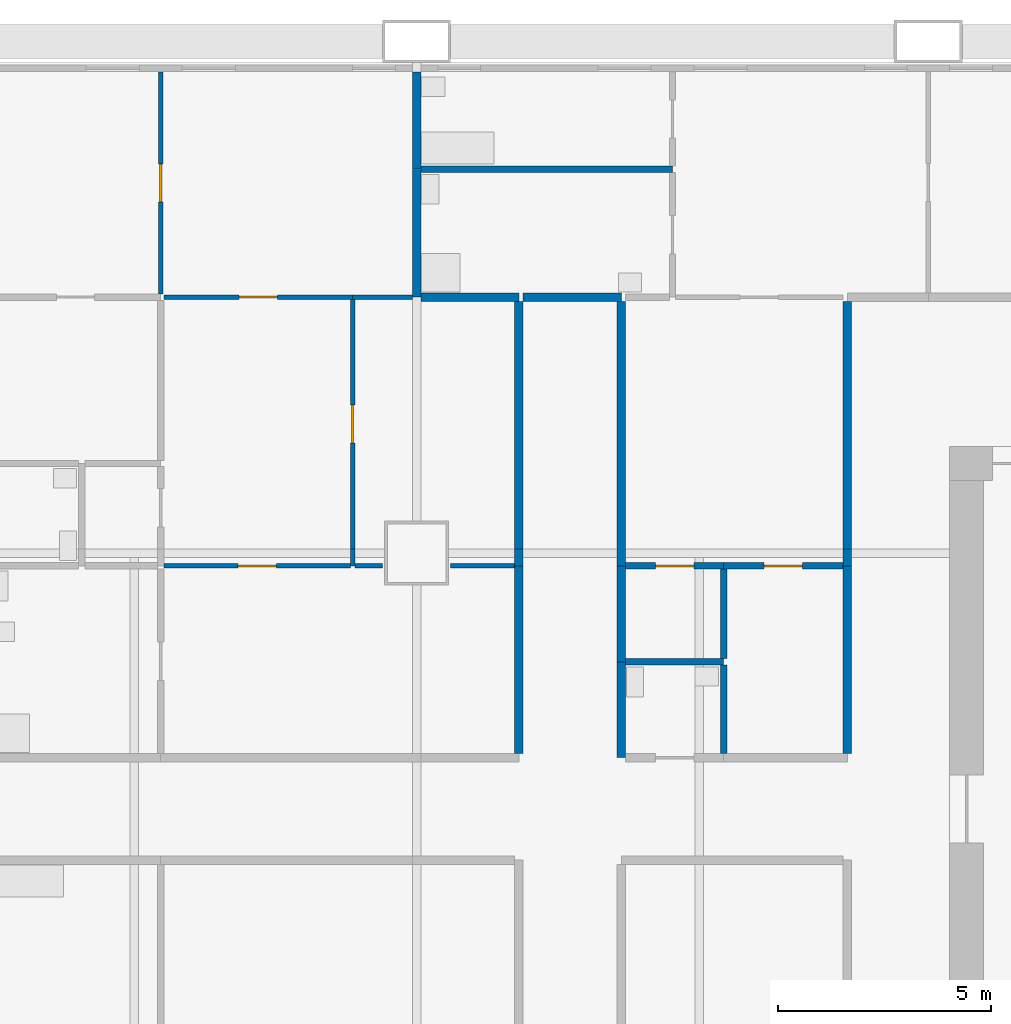
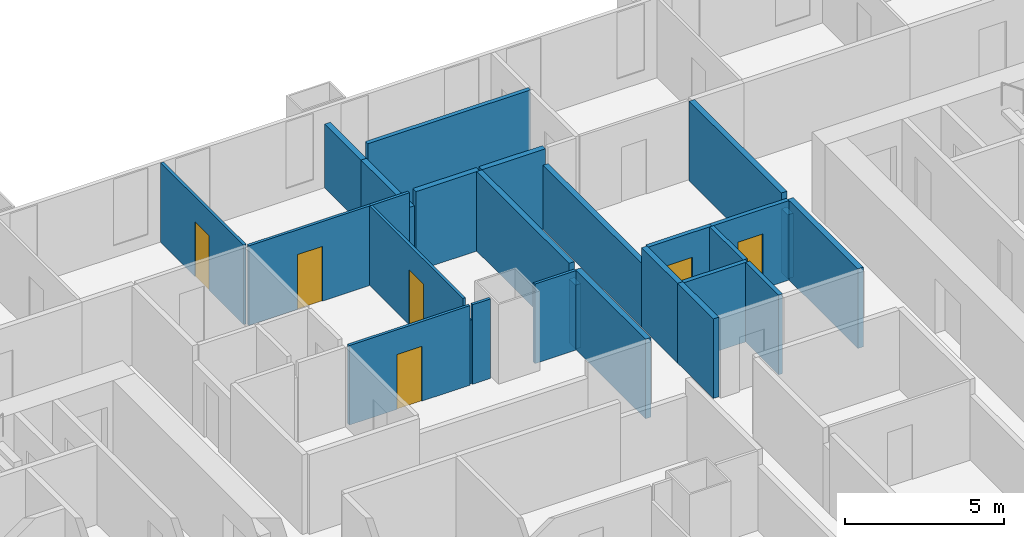
# One storey, part 9 of 14: 27 walls, 6 doors, 6 openings.
"""IFC4 building model written with IfcOpenShell, lengths in metres."""

from ifc_helpers import new_model, si_unit, direction, frame, frame_2d, origin, place, context, subcontext, project, spatial, rectangle, extrude, material, layer, layer_set, type_object, element, fill, save


model = new_model("IFC4")

# Units and contexts
model_context = context("Model", 3, precision=1e-05, world=origin(), true_north=direction((0.0, 1.0)))
body_context = subcontext(model_context, "Body", "Model", "MODEL_VIEW")
ifc_project = project(units=[si_unit("LENGTHUNIT", "METRE"), si_unit("AREAUNIT", "SQUARE_METRE"), si_unit("VOLUMEUNIT", "CUBIC_METRE"), si_unit("PLANEANGLEUNIT", "RADIAN"), si_unit("MASSUNIT", "GRAM", prefix="KILO")], contexts=[model_context])

# Site, building, storey
site_placement = place(None, origin())
site = spatial("IfcSite", under=ifc_project, at=site_placement, CompositionType="ELEMENT")
building_placement = place(site_placement, origin())
building = spatial("IfcBuilding", under=site, at=building_placement, Name="Kitamizu Gate Tower and Museum", CompositionType="ELEMENT")
storey_placement = place(building_placement, frame((0.0, 0.0, 85.199951171875)))
storey = spatial("IfcBuildingStorey", under=building, at=storey_placement, Name="L21", CompositionType="ELEMENT", Elevation=85.199951171875)

# Wall, opening, door
ifc_material_1 = material(Name="Gypsum board on galvanised stud")
ifc_layer_1 = layer(ifc_material_1, 0.10009765625)
ifc_layer_set_1 = layer_set([ifc_layer_1], Name="Gypsum board on galvanised stud")
wall_type_1 = type_object("IfcWallType", Name="Partition 100 NOT RATED", PredefinedType="PARTITIONING", material=ifc_layer_set_1)
wall_1_placement = place(storey_placement, frame((30.0, 42.074951171875, 0.0), z_axis=(0.0, 0.0, 1.0), x_axis=(0.0, 1.0, 0.0)))
wall_1 = element("IfcWall", 1, at=wall_1_placement, inside=storey, type_object=wall_type_1, Name="Partition L21-089", PredefinedType="PARTITIONING", context=body_context, shape_type="SweptSolid", body=[
    extrude(rectangle(XDim=5.205078125, YDim=0.10009765625, at=frame_2d((2.6025390625, 0.0))), origin(), (0.0, 0.0, 1.0), 3.050048828125),
])
opening_1_placement = place(wall_1_placement, frame((2.152587890625, 0.0, 0.0)))
opening_1 = element("IfcOpeningElement", 2, at=opening_1_placement, cuts=wall_1, Name="Opening L21-033", PredefinedType="OPENING", context=body_context, shape_type="SweptSolid", body=[
    extrude(rectangle(XDim=0.89990234375, YDim=2.10009765625, at=frame_2d((0.449951171875, 1.050048828125))), frame((0.0, 0.06005859375, 0.0), z_axis=(0.0, -1.0, 0.0), x_axis=(1.0, 0.0, 0.0)), (0.0, 0.0, 1.0), 0.1201171875),
])
ifc_material_2 = material(Name="Timber door set", Category="wood")
door_type_1 = type_object("IfcDoorType", Name="Room door 900", OperationType="NOTDEFINED", PredefinedType="DOOR", material=ifc_material_2)
door_1_placement = place(opening_1_placement, origin())
door_1 = element("IfcDoor", 3, at=door_1_placement, inside=storey, type_object=door_type_1, Name="Door L21-033", OperationType="SINGLE_SWING_LEFT", OverallHeight=2.10009765625, OverallWidth=0.89990234375, PredefinedType="DOOR", context=body_context, shape_type="SweptSolid", body=[
    extrude(rectangle(XDim=0.89990234375, YDim=2.10009765625, at=frame_2d((0.449951171875, 1.050048828125))), frame((0.0, 0.02490234375, 0.0), z_axis=(0.0, -1.0, 0.0), x_axis=(1.0, 0.0, 0.0)), (0.0, 0.0, 1.0), 0.050048828125),
])
fill(opening_1, door_1)

wall_2_placement = place(storey_placement, frame((30.074951171875, 42.0, 0.0), z_axis=(0.0, 0.0, 1.0), x_axis=(1.0, 0.0, 0.0)))
wall_2 = element("IfcWall", 4, at=wall_2_placement, inside=storey, type_object=wall_type_1, Name="Partition L21-092", PredefinedType="PARTITIONING", context=body_context, shape_type="SweptSolid", body=[
    extrude(rectangle(XDim=4.425048828125, YDim=0.10009765625, at=frame_2d((2.21240234375, 0.0))), origin(), (0.0, 0.0, 1.0), 3.050048828125),
])
opening_2_placement = place(wall_2_placement, frame((1.762451171875, 0.0, 0.0)))
opening_2 = element("IfcOpeningElement", 5, at=opening_2_placement, cuts=wall_2, Name="Opening L21-035", PredefinedType="OPENING", context=body_context, shape_type="SweptSolid", body=[
    extrude(rectangle(XDim=0.89990234375, YDim=2.10009765625, at=frame_2d((0.449951171875, 1.050048828125))), frame((0.0, 0.06005859375, 0.0), z_axis=(0.0, -1.0, 0.0), x_axis=(1.0, 0.0, 0.0)), (0.0, 0.0, 1.0), 0.1201171875),
])
door_2_placement = place(opening_2_placement, frame((0.89990234375, 0.0, 0.0), x_axis=(-1.0, 0.0, 0.0)))
door_2 = element("IfcDoor", 6, at=door_2_placement, inside=storey, type_object=door_type_1, Name="Door L21-035", OperationType="SINGLE_SWING_RIGHT", OverallHeight=2.10009765625, OverallWidth=0.89990234375, PredefinedType="DOOR", context=body_context, shape_type="SweptSolid", body=[
    extrude(rectangle(XDim=0.89990234375, YDim=2.10009765625, at=frame_2d((0.449951171875, 1.050048828125))), frame((0.0, 0.02490234375, 0.0), z_axis=(0.0, -1.0, 0.0), x_axis=(1.0, 0.0, 0.0)), (0.0, 0.0, 1.0), 0.050048828125),
])
fill(opening_2, door_2)

# Walls
wall_3_placement = place(storey_placement, frame((34.5, 42.0, 0.0), z_axis=(0.0, 0.0, 1.0), x_axis=(1.0, 0.0, 0.0)))
element("IfcWall", 7, at=wall_3_placement, inside=storey, type_object=wall_type_1, Name="Partition L21-093", PredefinedType="PARTITIONING", context=body_context, shape_type="SweptSolid", body=[
    extrude(rectangle(XDim=1.39990234375, YDim=0.10009765625, at=frame_2d((0.699951171875, 0.0))), origin(), (0.0, 0.0, 1.0), 3.050048828125),
])
wall_4_placement = place(storey_placement, frame((34.5, 35.699951171875, 0.0), z_axis=(0.0, 0.0, 1.0), x_axis=(0.0, 1.0, 0.0)))
element("IfcWall", 8, at=wall_4_placement, inside=storey, type_object=wall_type_1, Name="Partition L21-107", PredefinedType="PARTITIONING", context=body_context, shape_type="SweptSolid", body=[
    extrude(rectangle(XDim=0.400146484375, YDim=0.10009765625, at=frame_2d((0.2001953125, 0.0))), origin(), (0.0, 0.0, 1.0), 2.449951171875),
])

# Wall, opening, door
wall_5_placement = place(storey_placement, frame((34.5, 36.10009765625, 0.0), z_axis=(0.0, 0.0, 1.0), x_axis=(0.0, 1.0, 0.0)))
wall_5 = element("IfcWall", 9, at=wall_5_placement, inside=storey, type_object=wall_type_1, Name="Partition L21-108", PredefinedType="PARTITIONING", context=body_context, shape_type="SweptSolid", body=[
    extrude(rectangle(XDim=5.849853515625, YDim=0.10009765625, at=frame_2d((2.9248046875, 0.0))), origin(), (0.0, 0.0, 1.0), 3.050048828125),
])
opening_3_placement = place(wall_5_placement, frame((2.47509765625, 0.0, 0.0)))
opening_3 = element("IfcOpeningElement", 10, at=opening_3_placement, cuts=wall_5, Name="Opening L21-036", PredefinedType="OPENING", context=body_context, shape_type="SweptSolid", body=[
    extrude(rectangle(XDim=0.89990234375, YDim=2.10009765625, at=frame_2d((0.449951171875, 1.050048828125))), frame((0.0, 0.06005859375, 0.0), z_axis=(0.0, -1.0, 0.0), x_axis=(1.0, 0.0, 0.0)), (0.0, 0.0, 1.0), 0.1201171875),
])
door_3_placement = place(opening_3_placement, frame((0.89990234375, 0.0, 0.0), x_axis=(-1.0, 0.0, 0.0)))
door_3 = element("IfcDoor", 11, at=door_3_placement, inside=storey, type_object=door_type_1, Name="Door L21-036", OperationType="SINGLE_SWING_LEFT", OverallHeight=2.10009765625, OverallWidth=0.89990234375, PredefinedType="DOOR", context=body_context, shape_type="SweptSolid", body=[
    extrude(rectangle(XDim=0.89990234375, YDim=2.10009765625, at=frame_2d((0.449951171875, 1.050048828125))), frame((0.0, 0.02490234375, 0.0), z_axis=(0.0, -1.0, 0.0), x_axis=(1.0, 0.0, 0.0)), (0.0, 0.0, 1.0), 0.050048828125),
])
fill(opening_3, door_3)

wall_6_placement = place(storey_placement, frame((30.074951171875, 35.699951171875, 0.0), z_axis=(0.0, 0.0, 1.0), x_axis=(1.0, 0.0, 0.0)))
wall_6 = element("IfcWall", 12, at=wall_6_placement, inside=storey, type_object=wall_type_1, Name="Partition L21-109", PredefinedType="PARTITIONING", context=body_context, shape_type="SweptSolid", body=[
    extrude(rectangle(XDim=4.375, YDim=0.10009765625, at=frame_2d((2.1875, 0.0))), origin(), (0.0, 0.0, 1.0), 3.050048828125),
])
opening_4_placement = place(wall_6_placement, frame((1.737548828125, 0.0, 0.0)))
opening_4 = element("IfcOpeningElement", 13, at=opening_4_placement, cuts=wall_6, Name="Opening L21-037", PredefinedType="OPENING", context=body_context, shape_type="SweptSolid", body=[
    extrude(rectangle(XDim=0.89990234375, YDim=2.10009765625, at=frame_2d((0.449951171875, 1.050048828125))), frame((0.0, 0.06005859375, 0.0), z_axis=(0.0, -1.0, 0.0), x_axis=(1.0, 0.0, 0.0)), (0.0, 0.0, 1.0), 0.1201171875),
])
door_4_placement = place(opening_4_placement, origin())
door_4 = element("IfcDoor", 14, at=door_4_placement, inside=storey, type_object=door_type_1, Name="Door L21-037", OperationType="SINGLE_SWING_LEFT", OverallHeight=2.10009765625, OverallWidth=0.89990234375, PredefinedType="DOOR", context=body_context, shape_type="SweptSolid", body=[
    extrude(rectangle(XDim=0.89990234375, YDim=2.10009765625, at=frame_2d((0.449951171875, 1.050048828125))), frame((0.0, 0.02490234375, 0.0), z_axis=(0.0, -1.0, 0.0), x_axis=(1.0, 0.0, 0.0)), (0.0, 0.0, 1.0), 0.050048828125),
])
fill(opening_4, door_4)

# Walls
wall_7_placement = place(storey_placement, frame((34.550048828125, 35.699951171875, 0.0), z_axis=(0.0, 0.0, 1.0), x_axis=(1.0, 0.0, 0.0)))
element("IfcWall", 15, at=wall_7_placement, inside=storey, type_object=wall_type_1, Name="Partition L21-110", PredefinedType="PARTITIONING", context=body_context, shape_type="SweptSolid", body=[
    extrude(rectangle(XDim=0.64990234375, YDim=0.10009765625, at=frame_2d((0.324951171875, 0.0))), origin(), (0.0, 0.0, 1.0), 3.050048828125),
])
wall_8_placement = place(storey_placement, frame((36.800048828125, 35.699951171875, 0.0), z_axis=(0.0, 0.0, 1.0), x_axis=(1.0, 0.0, 0.0)))
element("IfcWall", 16, at=wall_8_placement, inside=storey, type_object=wall_type_1, Name="Partition L21-111", PredefinedType="PARTITIONING", context=body_context, shape_type="SweptSolid", body=[
    extrude(rectangle(XDim=1.5, YDim=0.10009765625, at=frame_2d((0.75, 0.0))), origin(), (0.0, 0.0, 1.0), 3.050048828125),
])
ifc_material_3 = material(Name="Gypsum board on galvanised stud")
ifc_layer_2 = layer(ifc_material_3, 0.14990234375)
ifc_layer_set_2 = layer_set([ifc_layer_2], Name="Gypsum board on galvanised stud")
wall_type_2 = type_object("IfcWallType", Name="Partition 150", PredefinedType="PARTITIONING", material=ifc_layer_set_2)
wall_9_placement = place(storey_placement, frame((42.0, 45.0, 0.0), z_axis=(0.0, 0.0, 1.0), x_axis=(-1.0, 0.0, 0.0)))
element("IfcWall", 17, at=wall_9_placement, inside=storey, type_object=wall_type_2, Name="Partition L21-188", PredefinedType="PARTITIONING", context=body_context, shape_type="SweptSolid", body=[
    extrude(rectangle(XDim=5.89990234375, YDim=0.14990234375, at=frame_2d((2.949951171875, 0.0))), origin(), (0.0, 0.0, 1.0), 3.050048828125),
])

# Wall, opening, door
wall_10_placement = place(storey_placement, frame((40.89990234375, 35.699951171875, 0.0), z_axis=(0.0, 0.0, 1.0), x_axis=(1.0, 0.0, 0.0)))
wall_10 = element("IfcWall", 18, at=wall_10_placement, inside=storey, type_object=wall_type_2, Name="Partition L21-201", PredefinedType="PARTITIONING", context=body_context, shape_type="SweptSolid", body=[
    extrude(rectangle(XDim=2.300048828125, YDim=0.14990234375, at=frame_2d((1.14990234375, 0.0))), origin(), (0.0, 0.0, 1.0), 3.050048828125),
])
opening_5_placement = place(wall_10_placement, frame((0.699951171875, 0.0, 0.0)))
opening_5 = element("IfcOpeningElement", 19, at=opening_5_placement, cuts=wall_10, Name="Opening L21-071", PredefinedType="OPENING", context=body_context, shape_type="SweptSolid", body=[
    extrude(rectangle(XDim=0.89990234375, YDim=2.10009765625, at=frame_2d((0.449951171875, 1.050048828125))), frame((0.0, 0.0849609375, 0.0), z_axis=(0.0, -1.0, 0.0), x_axis=(1.0, 0.0, 0.0)), (0.0, 0.0, 1.0), 0.169921875),
])
ifc_material_4 = material(Name="Timber door set", Category="wood")
door_type_2 = type_object("IfcDoorType", Name="Bathroom door 900", OperationType="NOTDEFINED", PredefinedType="DOOR", material=ifc_material_4)
door_5_placement = place(opening_5_placement, frame((0.89990234375, 0.0, 0.0), x_axis=(-1.0, 0.0, 0.0)))
door_5 = element("IfcDoor", 20, at=door_5_placement, inside=storey, type_object=door_type_2, Name="Bathroom door L21-071", OperationType="SINGLE_SWING_RIGHT", OverallHeight=2.10009765625, OverallWidth=0.89990234375, PredefinedType="DOOR", context=body_context, shape_type="SweptSolid", body=[
    extrude(rectangle(XDim=0.89990234375, YDim=2.10009765625, at=frame_2d((0.449951171875, 1.050048828125))), frame((0.0, 0.02490234375, 0.0), z_axis=(0.0, -1.0, 0.0), x_axis=(1.0, 0.0, 0.0)), (0.0, 0.0, 1.0), 0.050048828125),
])
fill(opening_5, door_5)

wall_11_placement = place(storey_placement, frame((43.199951171875, 35.699951171875, 0.0), z_axis=(0.0, 0.0, 1.0), x_axis=(1.0, 0.0, 0.0)))
wall_11 = element("IfcWall", 21, at=wall_11_placement, inside=storey, type_object=wall_type_2, Name="Partition L21-202", PredefinedType="PARTITIONING", context=body_context, shape_type="SweptSolid", body=[
    extrude(rectangle(XDim=2.800048828125, YDim=0.14990234375, at=frame_2d((1.39990234375, 0.0))), origin(), (0.0, 0.0, 1.0), 3.050048828125),
])
opening_6_placement = place(wall_11_placement, frame((0.949951171875, 0.0, 0.0)))
opening_6 = element("IfcOpeningElement", 22, at=opening_6_placement, cuts=wall_11, Name="Opening L21-072", PredefinedType="OPENING", context=body_context, shape_type="SweptSolid", body=[
    extrude(rectangle(XDim=0.89990234375, YDim=2.10009765625, at=frame_2d((0.449951171875, 1.050048828125))), frame((0.0, 0.0849609375, 0.0), z_axis=(0.0, -1.0, 0.0), x_axis=(1.0, 0.0, 0.0)), (0.0, 0.0, 1.0), 0.169921875),
])
door_6_placement = place(opening_6_placement, frame((0.89990234375, 0.0, 0.0), x_axis=(-1.0, 0.0, 0.0)))
door_6 = element("IfcDoor", 23, at=door_6_placement, inside=storey, type_object=door_type_2, Name="Bathroom door L21-072", OperationType="SINGLE_SWING_LEFT", OverallHeight=2.10009765625, OverallWidth=0.89990234375, PredefinedType="DOOR", context=body_context, shape_type="SweptSolid", body=[
    extrude(rectangle(XDim=0.89990234375, YDim=2.10009765625, at=frame_2d((0.449951171875, 1.050048828125))), frame((0.0, 0.02490234375, 0.0), z_axis=(0.0, -1.0, 0.0), x_axis=(1.0, 0.0, 0.0)), (0.0, 0.0, 1.0), 0.050048828125),
])
fill(opening_6, door_6)

# Walls
wall_12_placement = place(storey_placement, frame((43.199951171875, 33.449951171875, 0.0), z_axis=(0.0, 0.0, 1.0), x_axis=(-1.0, 0.0, 0.0)))
element("IfcWall", 24, at=wall_12_placement, inside=storey, type_object=wall_type_2, Name="Partition L21-206", PredefinedType="PARTITIONING", context=body_context, shape_type="SweptSolid", body=[
    extrude(rectangle(XDim=2.300048828125, YDim=0.14990234375, at=frame_2d((1.14990234375, 0.0))), origin(), (0.0, 0.0, 1.0), 3.050048828125),
])
wall_13_placement = place(storey_placement, frame((43.199951171875, 31.300048828125, 0.0), z_axis=(0.0, 0.0, 1.0), x_axis=(0.0, 1.0, 0.0)))
element("IfcWall", 25, at=wall_13_placement, inside=storey, type_object=wall_type_2, Name="Partition L21-207", PredefinedType="PARTITIONING", context=body_context, shape_type="SweptSolid", body=[
    extrude(rectangle(XDim=2.074951171875, YDim=0.14990234375, at=frame_2d((1.03759765625, 0.0))), origin(), (0.0, 0.0, 1.0), 3.050048828125),
])
wall_14_placement = place(storey_placement, frame((43.199951171875, 33.52490234375, 0.0), z_axis=(0.0, 0.0, 1.0), x_axis=(0.0, 1.0, 0.0)))
element("IfcWall", 26, at=wall_14_placement, inside=storey, type_object=wall_type_2, Name="Partition L21-210", PredefinedType="PARTITIONING", context=body_context, shape_type="SweptSolid", body=[
    extrude(rectangle(XDim=2.10009765625, YDim=0.14990234375, at=frame_2d((1.050048828125, 0.0))), origin(), (0.0, 0.0, 1.0), 3.050048828125),
])
ifc_material_5 = material(Name="Gypsum board on galvanised stud")
ifc_layer_3 = layer(ifc_material_5, 0.199951171875)
ifc_layer_set_3 = layer_set([ifc_layer_3], Name="Gypsum board on galvanised stud")
wall_type_3 = type_object("IfcWallType", Name="Partition 200", PredefinedType="PARTITIONING", material=ifc_layer_set_3)
wall_15_placement = place(storey_placement, frame((36.0, 42.0, 0.0), z_axis=(0.0, 0.0, 1.0), x_axis=(0.0, 1.0, 0.0)))
element("IfcWall", 27, at=wall_15_placement, inside=storey, type_object=wall_type_3, Name="Partition L21-094", PredefinedType="PARTITIONING", context=body_context, shape_type="SweptSolid", body=[
    extrude(rectangle(XDim=3.0, YDim=0.199951171875, at=frame_2d((1.5, 0.0))), origin(), (0.0, 0.0, 1.0), 2.449951171875),
])
wall_16_placement = place(storey_placement, frame((36.0, 45.0, 0.0), z_axis=(0.0, 0.0, 1.0), x_axis=(0.0, 1.0, 0.0)))
element("IfcWall", 28, at=wall_16_placement, inside=storey, type_object=wall_type_3, Name="Partition L21-095", PredefinedType="PARTITIONING", context=body_context, shape_type="SweptSolid", body=[
    extrude(rectangle(XDim=2.280029296875, YDim=0.199951171875, at=frame_2d((1.14013671875, 0.0))), origin(), (0.0, 0.0, 1.0), 2.449951171875),
])
wall_17_placement = place(storey_placement, frame((38.39990234375, 42.0, 0.0), z_axis=(0.0, 0.0, 1.0), x_axis=(-1.0, 0.0, 0.0)))
element("IfcWall", 29, at=wall_17_placement, inside=storey, type_object=wall_type_3, Name="Partition L21-112", PredefinedType="PARTITIONING", context=body_context, shape_type="SweptSolid", body=[
    extrude(rectangle(XDim=2.2998046875, YDim=0.199951171875, at=frame_2d((1.14990234375, 0.0))), origin(), (0.0, 0.0, 1.0), 3.050048828125),
])
wall_18_placement = place(storey_placement, frame((38.39990234375, 35.699951171875, 0.0), z_axis=(0.0, 0.0, 1.0), x_axis=(0.0, 1.0, 0.0)))
element("IfcWall", 30, at=wall_18_placement, inside=storey, type_object=wall_type_3, Name="Partition L21-113", PredefinedType="PARTITIONING", context=body_context, shape_type="SweptSolid", body=[
    extrude(rectangle(XDim=0.400146484375, YDim=0.199951171875, at=frame_2d((0.2001953125, 0.0))), origin(), (0.0, 0.0, 1.0), 2.449951171875),
])
wall_19_placement = place(storey_placement, frame((38.39990234375, 36.10009765625, 0.0), z_axis=(0.0, 0.0, 1.0), x_axis=(0.0, 1.0, 0.0)))
element("IfcWall", 31, at=wall_19_placement, inside=storey, type_object=wall_type_3, Name="Partition L21-114", PredefinedType="PARTITIONING", context=body_context, shape_type="SweptSolid", body=[
    extrude(rectangle(XDim=5.7998046875, YDim=0.199951171875, at=frame_2d((2.89990234375, 0.0))), origin(), (0.0, 0.0, 1.0), 3.050048828125),
])
wall_20_placement = place(storey_placement, frame((38.39990234375, 31.300048828125, 0.0), z_axis=(0.0, 0.0, 1.0), x_axis=(0.0, 1.0, 0.0)))
element("IfcWall", 32, at=wall_20_placement, inside=storey, type_object=wall_type_3, Name="Partition L21-120", PredefinedType="PARTITIONING", context=body_context, shape_type="SweptSolid", body=[
    extrude(rectangle(XDim=4.39990234375, YDim=0.199951171875, at=frame_2d((2.199951171875, 0.0))), origin(), (0.0, 0.0, 1.0), 3.050048828125),
])
wall_21_placement = place(storey_placement, frame((38.5, 42.0, 0.0), z_axis=(0.0, 0.0, 1.0), x_axis=(1.0, 0.0, 0.0)))
element("IfcWall", 33, at=wall_21_placement, inside=storey, type_object=wall_type_3, Name="Partition L21-191", PredefinedType="PARTITIONING", context=body_context, shape_type="SweptSolid", body=[
    extrude(rectangle(XDim=2.300048828125, YDim=0.199951171875, at=frame_2d((1.14990234375, 0.0))), origin(), (0.0, 0.0, 1.0), 3.050048828125),
])
wall_22_placement = place(storey_placement, frame((40.800048828125, 41.89990234375, 0.0), z_axis=(0.0, 0.0, 1.0), x_axis=(0.0, -1.0, 0.0)))
element("IfcWall", 34, at=wall_22_placement, inside=storey, type_object=wall_type_3, Name="Partition L21-203", PredefinedType="PARTITIONING", context=body_context, shape_type="SweptSolid", body=[
    extrude(rectangle(XDim=6.199951171875, YDim=0.199951171875, at=frame_2d((3.10009765625, 0.0))), origin(), (0.0, 0.0, 1.0), 2.449951171875),
])
wall_23_placement = place(storey_placement, frame((46.10009765625, 35.699951171875, 0.0), z_axis=(0.0, 0.0, 1.0), x_axis=(0.0, 1.0, 0.0)))
element("IfcWall", 35, at=wall_23_placement, inside=storey, type_object=wall_type_3, Name="Partition L21-204", PredefinedType="PARTITIONING", context=body_context, shape_type="SweptSolid", body=[
    extrude(rectangle(XDim=0.400146484375, YDim=0.199951171875, at=frame_2d((0.2001953125, 0.0))), origin(), (0.0, 0.0, 1.0), 2.449951171875),
])
wall_24_placement = place(storey_placement, frame((46.10009765625, 36.10009765625, 0.0), z_axis=(0.0, 0.0, 1.0), x_axis=(0.0, 1.0, 0.0)))
element("IfcWall", 36, at=wall_24_placement, inside=storey, type_object=wall_type_3, Name="Partition L21-205", PredefinedType="PARTITIONING", context=body_context, shape_type="SweptSolid", body=[
    extrude(rectangle(XDim=5.7998046875, YDim=0.199951171875, at=frame_2d((2.89990234375, 0.0))), origin(), (0.0, 0.0, 1.0), 3.050048828125),
])
for number, where, z_axis, x_axis, name in (
    (37, (40.800048828125, 33.449951171875, 0.0), (0.0, 0.0, 1.0), (0.0, -1.0, 0.0), "Partition L21-208"),
    (38, (40.800048828125, 35.699951171875, 0.0), (0.0, 0.0, 1.0), (0.0, -1.0, 0.0), "Partition L21-211"),
):
    element("IfcWall", number, at=place(storey_placement, frame(where, z_axis=z_axis, x_axis=x_axis)), inside=storey, type_object=wall_type_3, Name=name, PredefinedType="PARTITIONING", context=body_context, shape_type="SweptSolid", body=[
        extrude(rectangle(XDim=2.25, YDim=0.199951171875, at=frame_2d((1.125, 0.0))), origin(), (0.0, 0.0, 1.0), 3.050048828125),
    ])
wall_25_placement = place(storey_placement, frame((46.10009765625, 31.300048828125, 0.0), z_axis=(0.0, 0.0, 1.0), x_axis=(0.0, 1.0, 0.0)))
element("IfcWall", 39, at=wall_25_placement, inside=storey, type_object=wall_type_3, Name="Partition L21-213", PredefinedType="PARTITIONING", context=body_context, shape_type="SweptSolid", body=[
    extrude(rectangle(XDim=4.39990234375, YDim=0.199951171875, at=frame_2d((2.199951171875, 0.0))), origin(), (0.0, 0.0, 1.0), 3.050048828125),
])

save(model, "model.ifc")
